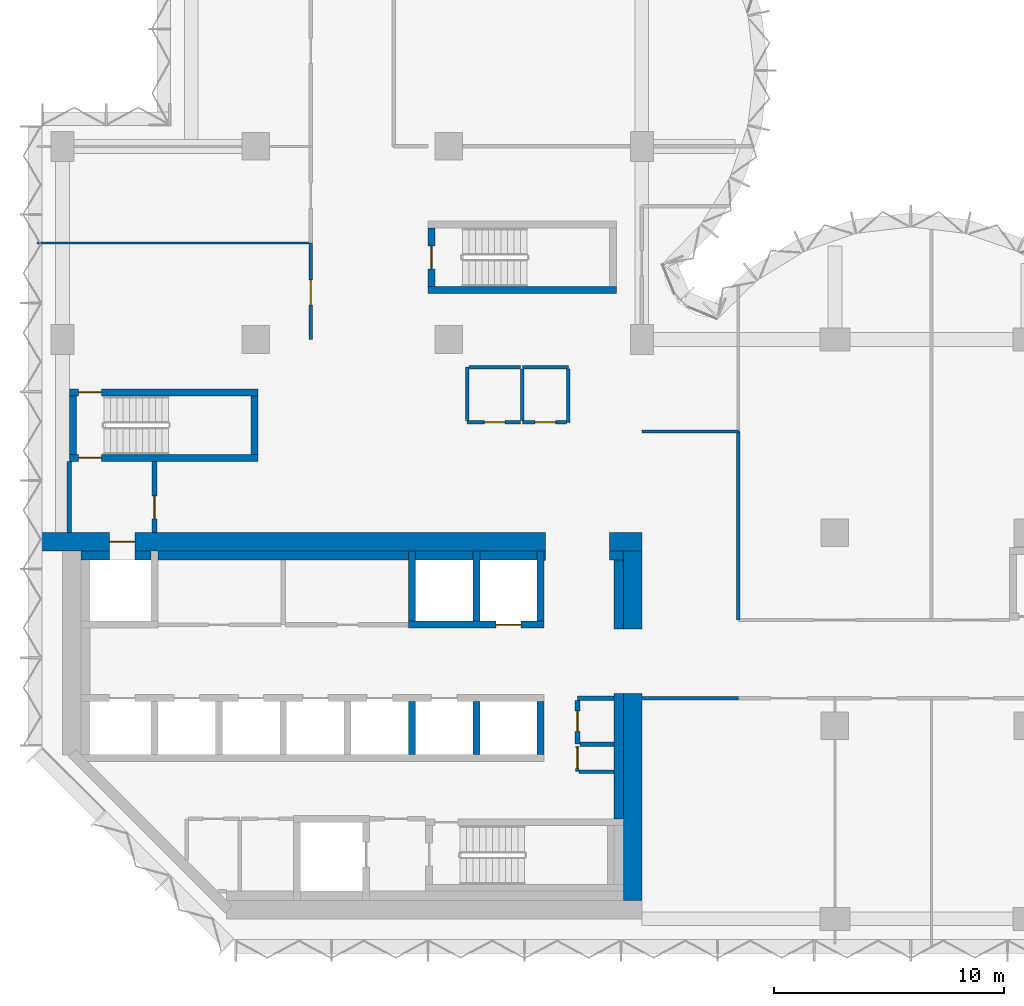
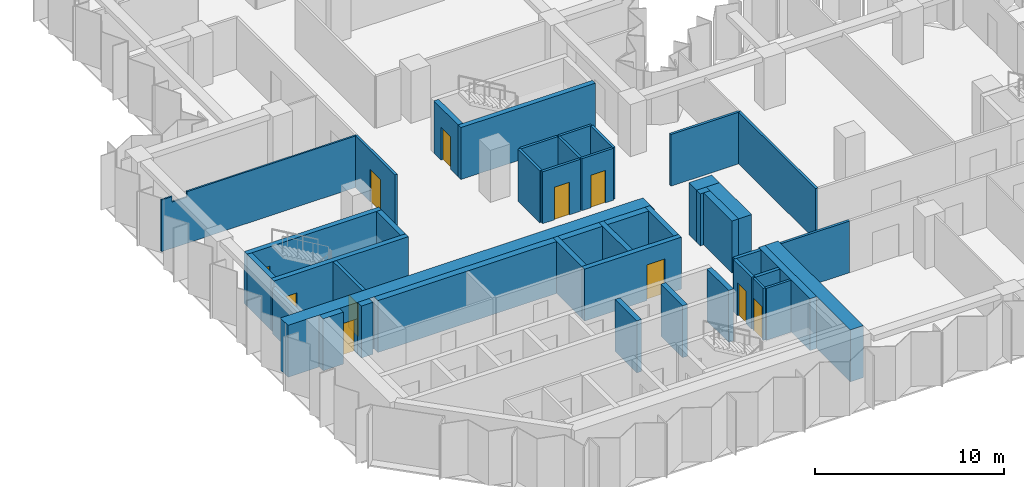
# One storey, part 6 of 11: 45 walls, 11 doors, 11 openings.
"""IFC4 building model written with IfcOpenShell, lengths in metres."""

from ifc_helpers import new_model, si_unit, direction, frame, frame_2d, origin, place, context, subcontext, project, spatial, polyline, rectangle, outline, extrude, material, layer, layer_set, type_object, element, fill, save


model = new_model("IFC4")

# Units and contexts
model_context = context("Model", 3, precision=1e-05, world=origin(), true_north=direction((0.0, 1.0)))
body_context = subcontext(model_context, "Body", "Model", "MODEL_VIEW")
ifc_project = project(units=[si_unit("LENGTHUNIT", "METRE"), si_unit("AREAUNIT", "SQUARE_METRE"), si_unit("VOLUMEUNIT", "CUBIC_METRE"), si_unit("PLANEANGLEUNIT", "RADIAN"), si_unit("MASSUNIT", "GRAM", prefix="KILO")], contexts=[model_context])

# Site, building, storey
site_placement = place(None, origin())
site = spatial("IfcSite", under=ifc_project, at=site_placement, CompositionType="ELEMENT")
building_placement = place(site_placement, origin())
building = spatial("IfcBuilding", under=site, at=building_placement, Name="Brevane Broadcast Tower", CompositionType="ELEMENT")
storey_placement = place(building_placement, frame((0.0, 0.0, 149.300048828125)))
storey = spatial("IfcBuildingStorey", under=building, at=storey_placement, Name="L37", CompositionType="ELEMENT", Elevation=149.300048828125)

# Walls
ifc_material_1 = material(Name="Concrete C32/40", Category="concrete")
ifc_layer_1 = layer(ifc_material_1, 0.39990234375)
ifc_layer_set_1 = layer_set([ifc_layer_1], Name="Core chase wall 400 mm")
wall_type_1 = type_object("IfcWallType", Name="Core chase wall 400 mm", PredefinedType="PARTITIONING", material=ifc_layer_set_1)
wall_1_placement = place(storey_placement, frame((24.199951171875, 12.60009765625, 0.0), z_axis=(0.0, 0.0, 1.0), x_axis=(0.0, 1.0, 0.0)))
element("IfcWall", 1, at=wall_1_placement, inside=storey, type_object=wall_type_1, Name="L37 chase wall LE2", PredefinedType="PARTITIONING", context=body_context, shape_type="SweptSolid", body=[
    extrude(rectangle(XDim=3.0, YDim=0.39990234375, at=frame_2d((1.5, 0.0))), origin(), (0.0, 0.0, 1.0), 3.349853515625),
])
wall_2_placement = place(storey_placement, frame((0.800048828125, 15.800048828125, 0.0), z_axis=(0.0, 0.0, 1.0), x_axis=(1.0, 0.0, 0.0)))
element("IfcWall", 2, at=wall_2_placement, inside=storey, type_object=wall_type_1, Name="L37 chase wall LN0", PredefinedType="PARTITIONING", context=body_context, shape_type="SweptSolid", body=[
    extrude(rectangle(XDim=1.25, YDim=0.39990234375, at=frame_2d((0.625, 0.0))), origin(), (0.0, 0.0, 1.0), 3.349853515625),
])
wall_3_placement = place(storey_placement, frame((23.800048828125, 15.800048828125, 0.0), z_axis=(0.0, 0.0, 1.0), x_axis=(1.0, 0.0, 0.0)))
element("IfcWall", 3, at=wall_3_placement, inside=storey, type_object=wall_type_1, Name="L37 chase wall LN2", PredefinedType="PARTITIONING", context=body_context, shape_type="SweptSolid", body=[
    extrude(rectangle(XDim=0.599853515625, YDim=0.39990234375, at=frame_2d((0.2998046875, 0.0))), origin(), (0.0, 0.0, 1.0), 3.349853515625),
])
wall_4_placement = place(storey_placement, frame((3.14990234375, 15.800048828125, 0.0), z_axis=(0.0, 0.0, 1.0), x_axis=(1.0, 0.0, 0.0)))
element("IfcWall", 4, at=wall_4_placement, inside=storey, type_object=wall_type_1, Name="L37 chase wall LN1-1", PredefinedType="PARTITIONING", context=body_context, shape_type="SweptSolid", body=[
    extrude(rectangle(XDim=0.7001953125, YDim=0.39990234375, at=frame_2d((0.35009765625, 0.0))), origin(), (0.0, 0.0, 1.0), 3.349853515625),
])
wall_5_placement = place(storey_placement, frame((4.14990234375, 15.800048828125, 0.0), z_axis=(0.0, 0.0, 1.0), x_axis=(1.0, 0.0, 0.0)))
element("IfcWall", 5, at=wall_5_placement, inside=storey, type_object=wall_type_1, Name="L37 chase wall LN1-2-1", PredefinedType="PARTITIONING", context=body_context, shape_type="SweptSolid", body=[
    extrude(rectangle(XDim=10.900146484375, YDim=0.39990234375, at=frame_2d((5.4501953125, 0.0))), origin(), (0.0, 0.0, 1.0), 3.349853515625),
])
for number, where, z_axis, x_axis, name in (
    (6, (15.35009765625, 15.800048828125, 0.0), (0.0, 0.0, 1.0), (1.0, 0.0, 0.0), "L37 chase wall LN1-2-2-1"),
    (7, (18.14990234375, 15.800048828125, 0.0), (0.0, 0.0, 1.0), (1.0, 0.0, 0.0), "L37 chase wall LN1-2-2-2-1"),
):
    element("IfcWall", number, at=place(storey_placement, frame(where, z_axis=z_axis, x_axis=x_axis)), inside=storey, type_object=wall_type_1, Name=name, PredefinedType="PARTITIONING", context=body_context, shape_type="SweptSolid", body=[
        extrude(rectangle(XDim=2.5, YDim=0.39990234375, at=frame_2d((1.25, 0.0))), origin(), (0.0, 0.0, 1.0), 3.349853515625),
    ])
wall_6_placement = place(storey_placement, frame((20.949951171875, 15.800048828125, 0.0), z_axis=(0.0, 0.0, 1.0), x_axis=(1.0, 0.0, 0.0)))
element("IfcWall", 8, at=wall_6_placement, inside=storey, type_object=wall_type_1, Name="L37 chase wall LN1-2-2-2-2", PredefinedType="PARTITIONING", context=body_context, shape_type="SweptSolid", body=[
    extrude(rectangle(XDim=0.050048828125, YDim=0.39990234375, at=frame_2d((0.02490234375, 0.0))), origin(), (0.0, 0.0, 1.0), 3.349853515625),
])
wall_7_placement = place(storey_placement, frame((24.199951171875, 4.35009765625, 0.0), z_axis=(0.0, 0.0, 1.0), x_axis=(0.0, 1.0, 0.0)))
element("IfcWall", 9, at=wall_7_placement, inside=storey, type_object=wall_type_1, Name="L37 chase wall LE1-2-2", PredefinedType="PARTITIONING", context=body_context, shape_type="SweptSolid", body=[
    extrude(rectangle(XDim=5.449951171875, YDim=0.39990234375, at=frame_2d((2.72509765625, 0.0))), origin(), (0.0, 0.0, 1.0), 3.349853515625),
])
ifc_material_2 = material(Name="Gypsum board on steel studs", Category="steel")
ifc_layer_2 = layer(ifc_material_2, 0.14990234375)
ifc_layer_set_2 = layer_set([ifc_layer_2], Name="Core fire partition 150 mm")
wall_type_2 = type_object("IfcWallType", Name="Core fire partition 150 mm", PredefinedType="PARTITIONING", material=ifc_layer_set_2)
wall_8_placement = place(storey_placement, frame((20.0, 24.0, 0.0), z_axis=(0.0, 0.0, 1.0), x_axis=(1.0, 0.0, 0.0)))
element("IfcWall", 10, at=wall_8_placement, inside=storey, type_object=wall_type_2, Name="L37 partition wall P15", PredefinedType="PARTITIONING", context=body_context, shape_type="SweptSolid", body=[
    extrude(rectangle(XDim=2.0, YDim=0.14990234375, at=frame_2d((1.0, 0.0))), origin(), (0.0, 0.0, 1.0), 3.349853515625),
])
wall_9_placement = place(storey_placement, frame((22.0, 23.925048828125, 0.0), z_axis=(0.0, 0.0, 1.0), x_axis=(0.0, -1.0, 0.0)))
element("IfcWall", 11, at=wall_9_placement, inside=storey, type_object=wall_type_2, Name="L37 partition wall P16", PredefinedType="PARTITIONING", context=body_context, shape_type="SweptSolid", body=[
    extrude(rectangle(XDim=2.324951171875, YDim=0.14990234375, at=frame_2d((1.16259765625, 0.0))), origin(), (0.0, 0.0, 1.0), 3.349853515625),
])

# Wall, opening, door
wall_10_placement = place(storey_placement, frame((21.925048828125, 21.60009765625, 0.0), z_axis=(0.0, 0.0, 1.0), x_axis=(-1.0, 0.0, 0.0)))
wall_10 = element("IfcWall", 12, at=wall_10_placement, inside=storey, type_object=wall_type_2, Name="L37 partition wall P17", PredefinedType="PARTITIONING", context=body_context, shape_type="SweptSolid", body=[
    extrude(rectangle(XDim=1.925048828125, YDim=0.14990234375, at=frame_2d((0.96240234375, 0.0))), origin(), (0.0, 0.0, 1.0), 3.349853515625),
])
opening_1_placement = place(wall_10_placement, frame((0.47509765625, 0.0, 0.0)))
opening_1 = element("IfcOpeningElement", 13, at=opening_1_placement, cuts=wall_10, Name="Opening L37-K24", PredefinedType="OPENING", context=body_context, shape_type="SweptSolid", body=[
    extrude(rectangle(XDim=0.89990234375, YDim=2.10009765625, at=frame_2d((0.449951171875, 1.050048828125))), frame((0.0, 0.0849609375, 0.0), z_axis=(0.0, -1.0, 0.0), x_axis=(1.0, 0.0, 0.0)), (0.0, 0.0, 1.0), 0.169921875),
])
ifc_material_3 = material(Name="Timber", Category="wood")
door_type_1 = type_object("IfcDoorType", Name="Toilet door 900 x 2100", OperationType="SINGLE_SWING_LEFT", PredefinedType="DOOR", material=ifc_material_3)
door_1_placement = place(opening_1_placement, origin())
door_1 = element("IfcDoor", 14, at=door_1_placement, inside=storey, type_object=door_type_1, Name="Door L37-K24", OperationType="SINGLE_SWING_RIGHT", OverallHeight=2.10009765625, OverallWidth=0.89990234375, PredefinedType="DOOR", context=body_context, shape_type="SweptSolid", body=[
    extrude(rectangle(XDim=0.89990234375, YDim=2.10009765625, at=frame_2d((0.449951171875, 1.050048828125))), frame((0.0, 0.02490234375, 0.0), z_axis=(0.0, -1.0, 0.0), x_axis=(1.0, 0.0, 0.0)), (0.0, 0.0, 1.0), 0.050048828125),
])
fill(opening_1, door_1)

# Wall
wall_11_placement = place(storey_placement, frame((20.0, 21.675048828125, 0.0), z_axis=(0.0, 0.0, 1.0), x_axis=(0.0, 1.0, 0.0)))
element("IfcWall", 15, at=wall_11_placement, inside=storey, type_object=wall_type_2, Name="L37 partition wall P18", PredefinedType="PARTITIONING", context=body_context, shape_type="SweptSolid", body=[
    extrude(rectangle(XDim=2.25, YDim=0.14990234375, at=frame_2d((1.125, 0.0))), origin(), (0.0, 0.0, 1.0), 3.349853515625),
])

# Wall, opening, door
wall_12_placement = place(storey_placement, frame((19.925048828125, 21.60009765625, 0.0), z_axis=(0.0, 0.0, 1.0), x_axis=(-1.0, 0.0, 0.0)))
wall_12 = element("IfcWall", 16, at=wall_12_placement, inside=storey, type_object=wall_type_2, Name="L37 partition wall P19", PredefinedType="PARTITIONING", context=body_context, shape_type="SweptSolid", body=[
    extrude(rectangle(XDim=2.324951171875, YDim=0.14990234375, at=frame_2d((1.16259765625, 0.0))), origin(), (0.0, 0.0, 1.0), 3.349853515625),
])
opening_2_placement = place(wall_12_placement, frame((0.675048828125, 0.0, 0.0)))
opening_2 = element("IfcOpeningElement", 17, at=opening_2_placement, cuts=wall_12, Name="Opening L37-K25", PredefinedType="OPENING", context=body_context, shape_type="SweptSolid", body=[
    extrude(rectangle(XDim=0.89990234375, YDim=2.10009765625, at=frame_2d((0.449951171875, 1.050048828125))), frame((0.0, 0.0849609375, 0.0), z_axis=(0.0, -1.0, 0.0), x_axis=(1.0, 0.0, 0.0)), (0.0, 0.0, 1.0), 0.169921875),
])
ifc_material_4 = material(Name="Steel", Category="steel")
door_type_2 = type_object("IfcDoorType", Name="Service room door 900 x 2100", OperationType="SINGLE_SWING_LEFT", PredefinedType="DOOR", material=ifc_material_4)
door_2_placement = place(opening_2_placement, origin())
door_2 = element("IfcDoor", 18, at=door_2_placement, inside=storey, type_object=door_type_2, Name="Door L37-K25", OperationType="SINGLE_SWING_LEFT", OverallHeight=2.10009765625, OverallWidth=0.89990234375, PredefinedType="DOOR", context=body_context, shape_type="SweptSolid", body=[
    extrude(rectangle(XDim=0.89990234375, YDim=2.10009765625, at=frame_2d((0.449951171875, 1.050048828125))), frame((0.0, 0.02490234375, 0.0), z_axis=(0.0, -1.0, 0.0), x_axis=(1.0, 0.0, 0.0)), (0.0, 0.0, 1.0), 0.050048828125),
])
fill(opening_2, door_2)

# Walls
wall_13_placement = place(storey_placement, frame((17.60009765625, 21.675048828125, 0.0), z_axis=(0.0, 0.0, 1.0), x_axis=(0.0, 1.0, 0.0)))
element("IfcWall", 19, at=wall_13_placement, inside=storey, type_object=wall_type_2, Name="L37 partition wall P20", PredefinedType="PARTITIONING", context=body_context, shape_type="SweptSolid", body=[
    extrude(rectangle(XDim=2.324951171875, YDim=0.14990234375, at=frame_2d((1.16259765625, 0.0))), origin(), (0.0, 0.0, 1.0), 3.349853515625),
])
wall_14_placement = place(storey_placement, frame((17.675048828125, 24.0, 0.0), z_axis=(0.0, 0.0, 1.0), x_axis=(1.0, 0.0, 0.0)))
element("IfcWall", 20, at=wall_14_placement, inside=storey, type_object=wall_type_2, Name="L37 partition wall P21", PredefinedType="PARTITIONING", context=body_context, shape_type="SweptSolid", body=[
    extrude(rectangle(XDim=2.25, YDim=0.14990234375, at=frame_2d((1.125, 0.0))), origin(), (0.0, 0.0, 1.0), 3.349853515625),
])

# Wall, opening, door
wall_15_placement = place(storey_placement, frame((22.39990234375, 7.5, 0.0), z_axis=(0.0, 0.0, 1.0), x_axis=(0.0, -1.0, 0.0)))
wall_15 = element("IfcWall", 21, at=wall_15_placement, inside=storey, type_object=wall_type_2, Name="L37 partition wall P22", PredefinedType="PARTITIONING", context=body_context, shape_type="SweptSolid", body=[
    extrude(rectangle(XDim=1.10009765625, YDim=0.14990234375, at=frame_2d((0.550048828125, 0.0))), origin(), (0.0, 0.0, 1.0), 3.349853515625),
])
opening_3_placement = place(wall_15_placement, frame((0.050048828125, 0.0, 0.0)))
opening_3 = element("IfcOpeningElement", 22, at=opening_3_placement, cuts=wall_15, Name="Opening L37-K19", PredefinedType="OPENING", context=body_context, shape_type="SweptSolid", body=[
    extrude(rectangle(XDim=0.89990234375, YDim=2.10009765625, at=frame_2d((0.449951171875, 1.050048828125))), frame((0.0, 0.0849609375, 0.0), z_axis=(0.0, -1.0, 0.0), x_axis=(1.0, 0.0, 0.0)), (0.0, 0.0, 1.0), 0.169921875),
])
door_3_placement = place(opening_3_placement, origin())
door_3 = element("IfcDoor", 23, at=door_3_placement, inside=storey, type_object=door_type_2, Name="Door L37-K19", OperationType="SINGLE_SWING_LEFT", OverallHeight=2.10009765625, OverallWidth=0.89990234375, PredefinedType="DOOR", context=body_context, shape_type="SweptSolid", body=[
    extrude(rectangle(XDim=0.89990234375, YDim=2.10009765625, at=frame_2d((0.449951171875, 1.050048828125))), frame((0.0, 0.02490234375, 0.0), z_axis=(0.0, -1.0, 0.0), x_axis=(1.0, 0.0, 0.0)), (0.0, 0.0, 1.0), 0.050048828125),
])
fill(opening_3, door_3)

# Walls
wall_16_placement = place(storey_placement, frame((22.47509765625, 6.39990234375, 0.0), z_axis=(0.0, 0.0, 1.0), x_axis=(1.0, 0.0, 0.0)))
element("IfcWall", 24, at=wall_16_placement, inside=storey, type_object=wall_type_2, Name="L37 partition wall P23", PredefinedType="PARTITIONING", context=body_context, shape_type="SweptSolid", body=[
    extrude(rectangle(XDim=1.512939453125, YDim=0.14990234375, at=frame_2d((0.75634765625, 0.0))), origin(), (0.0, 0.0, 1.0), 3.349853515625),
])
ifc_layer_3 = layer(ifc_material_2, 0.199951171875)
ifc_layer_set_3 = layer_set([ifc_layer_3], Name="Core fire partition 200 mm")
wall_type_3 = type_object("IfcWallType", Name="Core fire partition 200 mm", PredefinedType="PARTITIONING", material=ifc_layer_set_3)
wall_17_placement = place(storey_placement, frame((0.300048828125, 16.81201171875, 0.0), z_axis=(0.0, 0.0, 1.0), x_axis=(0.0, 1.0, 0.0)))
element("IfcWall", 25, at=wall_17_placement, inside=storey, type_object=wall_type_3, Name="L37 partition wall P01", PredefinedType="PARTITIONING", context=body_context, shape_type="SweptSolid", body=[
    extrude(rectangle(XDim=3.075927734375, YDim=0.199951171875, at=frame_2d((1.5380859375, 0.0))), origin(), (0.0, 0.0, 1.0), 2.97998046875),
])

# Wall, opening, door
wall_18_placement = place(storey_placement, frame((4.0, 19.887939453125, 0.0), z_axis=(0.0, 0.0, 1.0), x_axis=(0.0, -1.0, 0.0)))
wall_18 = element("IfcWall", 26, at=wall_18_placement, inside=storey, type_object=wall_type_3, Name="L37 partition wall P02", PredefinedType="PARTITIONING", context=body_context, shape_type="SweptSolid", body=[
    extrude(rectangle(XDim=3.075927734375, YDim=0.199951171875, at=frame_2d((1.5380859375, 0.0))), origin(), (0.0, 0.0, 1.0), 3.349853515625),
])
opening_4_placement = place(wall_18_placement, frame((1.488037109375, 0.0, 0.0)))
opening_4 = element("IfcOpeningElement", 27, at=opening_4_placement, cuts=wall_18, Name="Opening L37-K23", PredefinedType="OPENING", context=body_context, shape_type="SweptSolid", body=[
    extrude(rectangle(XDim=1.0, YDim=2.10009765625, at=frame_2d((0.5, 1.050048828125))), frame((0.0, 0.10986328125, 0.0), z_axis=(0.0, -1.0, 0.0), x_axis=(1.0, 0.0, 0.0)), (0.0, 0.0, 1.0), 0.219970703125),
])
door_type_3 = type_object("IfcDoorType", Name="Stair door 1000 x 2100", OperationType="SINGLE_SWING_LEFT", PredefinedType="DOOR", material=ifc_material_4)
door_4_placement = place(opening_4_placement, origin())
door_4 = element("IfcDoor", 28, at=door_4_placement, inside=storey, type_object=door_type_3, Name="Door L37-K23", OperationType="SINGLE_SWING_LEFT", OverallHeight=2.10009765625, OverallWidth=1.0, PredefinedType="DOOR", context=body_context, shape_type="SweptSolid", body=[
    extrude(rectangle(XDim=1.0, YDim=2.10009765625, at=frame_2d((0.5, 1.050048828125))), frame((0.0, 0.02490234375, 0.0), z_axis=(0.0, -1.0, 0.0), x_axis=(1.0, 0.0, 0.0)), (0.0, 0.0, 1.0), 0.050048828125),
])
fill(opening_4, door_4)

# Wall
wall_19_placement = place(storey_placement, frame((23.988037109375, 9.60009765625, 0.0), z_axis=(0.0, 0.0, 1.0), x_axis=(-1.0, 0.0, 0.0)))
element("IfcWall", 29, at=wall_19_placement, inside=storey, type_object=wall_type_3, Name="L37 partition wall P06", PredefinedType="PARTITIONING", context=body_context, shape_type="SweptSolid", body=[
    extrude(rectangle(XDim=1.588134765625, YDim=0.199951171875, at=frame_2d((0.7939453125, 0.0))), origin(), (0.0, 0.0, 1.0), 3.349853515625),
])

# Wall, opening, door
wall_20_placement = place(storey_placement, frame((22.39990234375, 9.5, 0.0), z_axis=(0.0, 0.0, 1.0), x_axis=(0.0, -1.0, 0.0)))
wall_20 = element("IfcWall", 30, at=wall_20_placement, inside=storey, type_object=wall_type_3, Name="L37 partition wall P07", PredefinedType="PARTITIONING", context=body_context, shape_type="SweptSolid", body=[
    extrude(rectangle(XDim=1.89990234375, YDim=0.199951171875, at=frame_2d((0.949951171875, 0.0))), origin(), (0.0, 0.0, 1.0), 3.349853515625),
])
opening_5_placement = place(wall_20_placement, frame((0.449951171875, 0.0, 0.0)))
opening_5 = element("IfcOpeningElement", 31, at=opening_5_placement, cuts=wall_20, Name="Opening L37-K20", PredefinedType="OPENING", context=body_context, shape_type="SweptSolid", body=[
    extrude(rectangle(XDim=0.89990234375, YDim=2.10009765625, at=frame_2d((0.449951171875, 1.050048828125))), frame((0.0, 0.10986328125, 0.0), z_axis=(0.0, -1.0, 0.0), x_axis=(1.0, 0.0, 0.0)), (0.0, 0.0, 1.0), 0.219970703125),
])
door_5_placement = place(opening_5_placement, origin())
door_5 = element("IfcDoor", 32, at=door_5_placement, inside=storey, type_object=door_type_2, Name="Door L37-K20", OperationType="SINGLE_SWING_RIGHT", OverallHeight=2.10009765625, OverallWidth=0.89990234375, PredefinedType="DOOR", context=body_context, shape_type="SweptSolid", body=[
    extrude(rectangle(XDim=0.89990234375, YDim=2.10009765625, at=frame_2d((0.449951171875, 1.050048828125))), frame((0.0, 0.02490234375, 0.0), z_axis=(0.0, -1.0, 0.0), x_axis=(1.0, 0.0, 0.0)), (0.0, 0.0, 1.0), 0.050048828125),
])
fill(opening_5, door_5)

# Walls
wall_21_placement = place(storey_placement, frame((22.5, 7.60009765625, 0.0), z_axis=(0.0, 0.0, 1.0), x_axis=(1.0, 0.0, 0.0)))
element("IfcWall", 33, at=wall_21_placement, inside=storey, type_object=wall_type_3, Name="L37 partition wall P08", PredefinedType="PARTITIONING", context=body_context, shape_type="SweptSolid", body=[
    extrude(rectangle(XDim=1.488037109375, YDim=0.199951171875, at=frame_2d((0.744140625, 0.0))), origin(), (0.0, 0.0, 1.0), 3.349853515625),
])
ifc_material_5 = material(Name="Concrete C60/75", Category="concrete")
ifc_layer_4 = layer(ifc_material_5, 0.300048828125)
ifc_layer_set_4 = layer_set([ifc_layer_4], Name="Core wall 300 mm C60/75")
wall_type_4 = type_object("IfcWallType", Name="Core wall 300 mm C60/75", PredefinedType="SHEAR", material=ifc_layer_set_4)
for number, where, z_axis, x_axis, name in (
    (34, (15.199951171875, 7.14990234375, 0.0), (0.0, 0.0, 1.0), (0.0, 1.0, 0.0), "L37 shaft wall SH-S-P152"),
    (35, (18.0, 7.14990234375, 0.0), (0.0, 0.0, 1.0), (0.0, 1.0, 0.0), "L37 shaft wall SH-S-P180"),
    (36, (20.800048828125, 7.14990234375, 0.0), (0.0, 0.0, 1.0), (0.0, 1.0, 0.0), "L37 shaft wall SH-S-P208"),
):
    element("IfcWall", number, at=place(storey_placement, frame(where, z_axis=z_axis, x_axis=x_axis)), inside=storey, type_object=wall_type_4, Name=name, PredefinedType="SHEAR", context=body_context, shape_type="SweptSolid", body=[
        extrude(rectangle(XDim=2.300048828125, YDim=0.300048828125, at=frame_2d((1.14990234375, 0.0))), origin(), (0.0, 0.0, 1.0), 3.349853515625),
    ])

# Wall, opening, door
wall_22_placement = place(storey_placement, frame((15.050048828125, 12.800048828125, 0.0), z_axis=(0.0, 0.0, 1.0), x_axis=(1.0, 0.0, 0.0)))
wall_22 = element("IfcWall", 37, at=wall_22_placement, inside=storey, type_object=wall_type_4, Name="L37 shaft wall SH-N152-front", PredefinedType="SHEAR", context=body_context, shape_type="SweptSolid", body=[
    extrude(rectangle(XDim=5.89990234375, YDim=0.300048828125, at=frame_2d((2.949951171875, 0.0))), origin(), (0.0, 0.0, 1.0), 3.349853515625),
])
opening_6_placement = place(wall_22_placement, frame((3.800048828125, 0.0, 0.0)))
opening_6 = element("IfcOpeningElement", 38, at=opening_6_placement, cuts=wall_22, Name="Opening LD", PredefinedType="OPENING", context=body_context, shape_type="SweptSolid", body=[
    extrude(rectangle(XDim=1.10009765625, YDim=2.300048828125, at=frame_2d((0.550048828125, 1.14990234375))), frame((0.0, 0.159912109375, 0.0), z_axis=(0.0, -1.0, 0.0), x_axis=(1.0, 0.0, 0.0)), (0.0, 0.0, 1.0), 0.320068359375),
])
ifc_material_6 = material(Name="Stainless steel", Category="steel")
door_type_4 = type_object("IfcDoorType", Name="Lift landing door", OperationType="SLIDING_TO_LEFT", PredefinedType="DOOR", material=ifc_material_6)
door_6_placement = place(opening_6_placement, origin())
door_6 = element("IfcDoor", 39, at=door_6_placement, inside=storey, type_object=door_type_4, Name="Landing door SL1 L37", OperationType="SLIDING_TO_LEFT", OverallHeight=2.300048828125, OverallWidth=1.10009765625, PredefinedType="DOOR", context=body_context, shape_type="SweptSolid", body=[
    extrude(rectangle(XDim=1.10009765625, YDim=2.300048828125, at=frame_2d((0.550048828125, 1.14990234375))), frame((0.0, 0.02490234375, 0.0), z_axis=(0.0, -1.0, 0.0), x_axis=(1.0, 0.0, 0.0)), (0.0, 0.0, 1.0), 0.050048828125),
])
fill(opening_6, door_6)

# Walls
for number, where, z_axis, x_axis, name in (
    (40, (15.199951171875, 12.949951171875, 0.0), (0.0, 0.0, 1.0), (0.0, 1.0, 0.0), "L37 shaft wall SH-N-P152"),
    (41, (18.0, 12.949951171875, 0.0), (0.0, 0.0, 1.0), (0.0, 1.0, 0.0), "L37 shaft wall SH-N-P180"),
    (42, (20.800048828125, 12.949951171875, 0.0), (0.0, 0.0, 1.0), (0.0, 1.0, 0.0), "L37 shaft wall SH-N-P208"),
):
    element("IfcWall", number, at=place(storey_placement, frame(where, z_axis=z_axis, x_axis=x_axis)), inside=storey, type_object=wall_type_4, Name=name, PredefinedType="SHEAR", context=body_context, shape_type="SweptSolid", body=[
        extrude(rectangle(XDim=3.050048828125, YDim=0.300048828125, at=frame_2d((1.52490234375, 0.0))), origin(), (0.0, 0.0, 1.0), 3.349853515625),
    ])

# Wall, opening, door
wall_23_placement = place(storey_placement, frame((8.5, 20.050048828125, 0.0), z_axis=(0.0, 0.0, 1.0), x_axis=(-1.0, 0.0, 0.0)))
wall_23 = element("IfcWall", 43, at=wall_23_placement, inside=storey, type_object=wall_type_4, Name="L37 stair wall ST-1-S", PredefinedType="SHEAR", context=body_context, shape_type="SweptSolid", body=[
    extrude(rectangle(XDim=8.199951171875, YDim=0.300048828125, at=frame_2d((4.10009765625, 0.0))), origin(), (0.0, 0.0, 1.0), 3.349853515625),
])
opening_7_placement = place(wall_23_placement, frame((6.800048828125, 0.0, 0.0)))
opening_7 = element("IfcOpeningElement", 44, at=opening_7_placement, cuts=wall_23, Name="Opening L37-K10", PredefinedType="OPENING", context=body_context, shape_type="SweptSolid", body=[
    extrude(rectangle(XDim=1.0, YDim=2.10009765625, at=frame_2d((0.5, 1.050048828125))), frame((0.0, 0.159912109375, 0.0), z_axis=(0.0, -1.0, 0.0), x_axis=(1.0, 0.0, 0.0)), (0.0, 0.0, 1.0), 0.320068359375),
])
door_7_placement = place(opening_7_placement, origin())
door_7 = element("IfcDoor", 45, at=door_7_placement, inside=storey, type_object=door_type_3, Name="Door L37-K10", OperationType="SINGLE_SWING_RIGHT", OverallHeight=2.10009765625, OverallWidth=1.0, PredefinedType="DOOR", context=body_context, shape_type="SweptSolid", body=[
    extrude(rectangle(XDim=1.0, YDim=2.10009765625, at=frame_2d((0.5, 1.050048828125))), frame((0.0, 0.02490234375, 0.0), z_axis=(0.0, -1.0, 0.0), x_axis=(1.0, 0.0, 0.0)), (0.0, 0.0, 1.0), 0.050048828125),
])
fill(opening_7, door_7)

wall_24_placement = place(storey_placement, frame((0.300048828125, 22.89990234375, 0.0), z_axis=(0.0, 0.0, 1.0), x_axis=(1.0, 0.0, 0.0)))
wall_24 = element("IfcWall", 46, at=wall_24_placement, inside=storey, type_object=wall_type_4, Name="L37 stair wall ST-1-N", PredefinedType="SHEAR", context=body_context, shape_type="SweptSolid", body=[
    extrude(rectangle(XDim=8.199951171875, YDim=0.300048828125, at=frame_2d((4.10009765625, 0.0))), origin(), (0.0, 0.0, 1.0), 3.349853515625),
])
opening_8_placement = place(wall_24_placement, frame((0.39990234375, 0.0, 0.0)))
opening_8 = element("IfcOpeningElement", 47, at=opening_8_placement, cuts=wall_24, Name="Opening L37-K11", PredefinedType="OPENING", context=body_context, shape_type="SweptSolid", body=[
    extrude(rectangle(XDim=1.0, YDim=2.10009765625, at=frame_2d((0.5, 1.050048828125))), frame((0.0, 0.159912109375, 0.0), z_axis=(0.0, -1.0, 0.0), x_axis=(1.0, 0.0, 0.0)), (0.0, 0.0, 1.0), 0.320068359375),
])
door_8_placement = place(opening_8_placement, origin())
door_8 = element("IfcDoor", 48, at=door_8_placement, inside=storey, type_object=door_type_3, Name="Door L37-K11", OperationType="SINGLE_SWING_LEFT", OverallHeight=2.10009765625, OverallWidth=1.0, PredefinedType="DOOR", context=body_context, shape_type="SweptSolid", body=[
    extrude(rectangle(XDim=1.0, YDim=2.10009765625, at=frame_2d((0.5, 1.050048828125))), frame((0.0, 0.02490234375, 0.0), z_axis=(0.0, -1.0, 0.0), x_axis=(1.0, 0.0, 0.0)), (0.0, 0.0, 1.0), 0.050048828125),
])
fill(opening_8, door_8)

# Walls
for number, where, z_axis, x_axis, name in (
    (49, (0.449951171875, 20.199951171875, 0.0), (0.0, 0.0, 1.0), (0.0, 1.0, 0.0), "L37 stair wall ST-1-W"),
    (50, (8.35009765625, 20.199951171875, 0.0), (0.0, 0.0, 1.0), (0.0, 1.0, 0.0), "L37 stair wall ST-1-E"),
):
    element("IfcWall", number, at=place(storey_placement, frame(where, z_axis=z_axis, x_axis=x_axis)), inside=storey, type_object=wall_type_4, Name=name, PredefinedType="SHEAR", context=body_context, shape_type="SweptSolid", body=[
        extrude(rectangle(XDim=2.550048828125, YDim=0.300048828125, at=frame_2d((1.27490234375, 0.0))), origin(), (0.0, 0.0, 1.0), 3.349853515625),
    ])
wall_25_placement = place(storey_placement, frame((15.89990234375, 27.35009765625, 0.0), z_axis=(0.0, 0.0, 1.0), x_axis=(1.0, 0.0, 0.0)))
element("IfcWall", 51, at=wall_25_placement, inside=storey, type_object=wall_type_4, Name="L37 stair wall ST-3-S", PredefinedType="SHEAR", context=body_context, shape_type="SweptSolid", body=[
    extrude(rectangle(XDim=8.2001953125, YDim=0.300048828125, at=frame_2d((4.10009765625, 0.0))), origin(), (0.0, 0.0, 1.0), 3.349853515625),
])

# Wall, opening, door
wall_26_placement = place(storey_placement, frame((16.050048828125, 27.5, 0.0), z_axis=(0.0, 0.0, 1.0), x_axis=(0.0, 1.0, 0.0)))
wall_26 = element("IfcWall", 52, at=wall_26_placement, inside=storey, type_object=wall_type_4, Name="L37 stair wall ST-3-W", PredefinedType="SHEAR", context=body_context, shape_type="SweptSolid", body=[
    extrude(rectangle(XDim=2.550048828125, YDim=0.300048828125, at=frame_2d((1.27490234375, 0.0))), origin(), (0.0, 0.0, 1.0), 3.349853515625),
])
opening_9_placement = place(wall_26_placement, frame((0.77490234375, 0.0, 0.0)))
opening_9 = element("IfcOpeningElement", 53, at=opening_9_placement, cuts=wall_26, Name="Opening L37-K14", PredefinedType="OPENING", context=body_context, shape_type="SweptSolid", body=[
    extrude(rectangle(XDim=1.0, YDim=2.10009765625, at=frame_2d((0.5, 1.050048828125))), frame((0.0, 0.159912109375, 0.0), z_axis=(0.0, -1.0, 0.0), x_axis=(1.0, 0.0, 0.0)), (0.0, 0.0, 1.0), 0.320068359375),
])
door_9_placement = place(opening_9_placement, origin())
door_9 = element("IfcDoor", 54, at=door_9_placement, inside=storey, type_object=door_type_3, Name="Door L37-K14", OperationType="SINGLE_SWING_RIGHT", OverallHeight=2.10009765625, OverallWidth=1.0, PredefinedType="DOOR", context=body_context, shape_type="SweptSolid", body=[
    extrude(rectangle(XDim=1.0, YDim=2.10009765625, at=frame_2d((0.5, 1.050048828125))), frame((0.0, 0.02490234375, 0.0), z_axis=(0.0, -1.0, 0.0), x_axis=(1.0, 0.0, 0.0)), (0.0, 0.0, 1.0), 0.050048828125),
])
fill(opening_9, door_9)

ifc_layer_5 = layer(ifc_material_5, 0.800048828125)
ifc_layer_set_5 = layer_set([ifc_layer_5], Name="Core wall 800 mm C60/75")
wall_type_5 = type_object("IfcWallType", Name="Core wall 800 mm C60/75", PredefinedType="SHEAR", material=ifc_layer_set_5)
wall_27_placement = place(storey_placement, frame((-1.10009765625, 16.39990234375, 0.0), z_axis=(0.0, 0.0, 1.0), x_axis=(1.0, 0.0, 0.0)))
wall_27 = element("IfcWall", 55, at=wall_27_placement, inside=storey, type_object=wall_type_5, Name="L37 outer wall WN1", PredefinedType="SHEAR", context=body_context, shape_type="SweptSolid", body=[
    extrude(rectangle(XDim=22.10009765625, YDim=0.800048828125, at=frame_2d((11.050048828125, 0.0))), origin(), (0.0, 0.0, 1.0), 3.349853515625),
])
opening_10_placement = place(wall_27_placement, frame((3.14990234375, 0.0, 0.0)))
opening_10 = element("IfcOpeningElement", 56, at=opening_10_placement, cuts=wall_27, Name="Opening LD", PredefinedType="OPENING", context=body_context, shape_type="SweptSolid", body=[
    extrude(rectangle(XDim=1.10009765625, YDim=2.300048828125, at=frame_2d((0.550048828125, 1.14990234375))), frame((0.0, 0.409912109375, 0.0), z_axis=(0.0, -1.0, 0.0), x_axis=(1.0, 0.0, 0.0)), (0.0, 0.0, 1.0), 0.820068359375),
])
door_10_placement = place(opening_10_placement, origin())
door_10 = element("IfcDoor", 57, at=door_10_placement, inside=storey, type_object=door_type_4, Name="Landing door FF1 L37", OperationType="SLIDING_TO_LEFT", OverallHeight=2.300048828125, OverallWidth=1.10009765625, PredefinedType="DOOR", context=body_context, shape_type="SweptSolid", body=[
    extrude(rectangle(XDim=1.10009765625, YDim=2.300048828125, at=frame_2d((0.550048828125, 1.14990234375))), frame((0.0, 0.02490234375, 0.0), z_axis=(0.0, -1.0, 0.0), x_axis=(1.0, 0.0, 0.0)), (0.0, 0.0, 1.0), 0.050048828125),
])
fill(opening_10, door_10)

# Walls
wall_28_placement = place(storey_placement, frame((23.800048828125, 16.39990234375, 0.0), z_axis=(0.0, 0.0, 1.0), x_axis=(1.0, 0.0, 0.0)))
element("IfcWall", 58, at=wall_28_placement, inside=storey, type_object=wall_type_5, Name="L37 outer wall WN2", PredefinedType="SHEAR", context=body_context, shape_type="SweptSolid", body=[
    extrude(rectangle(XDim=1.39990234375, YDim=0.800048828125, at=frame_2d((0.699951171875, 0.0))), origin(), (0.0, 0.0, 1.0), 3.349853515625),
])
wall_29_placement = place(storey_placement, frame((24.800048828125, 0.800048828125, 0.0), z_axis=(0.0, 0.0, 1.0), x_axis=(0.0, 1.0, 0.0)))
element("IfcWall", 59, at=wall_29_placement, inside=storey, type_object=wall_type_5, Name="L37 outer wall WE1", PredefinedType="SHEAR", context=body_context, shape_type="SweptSolid", body=[
    extrude(rectangle(XDim=9.0, YDim=0.800048828125, at=frame_2d((4.5, 0.0))), origin(), (0.0, 0.0, 1.0), 3.349853515625),
])
wall_30_placement = place(storey_placement, frame((24.800048828125, 12.60009765625, 0.0), z_axis=(0.0, 0.0, 1.0), x_axis=(0.0, 1.0, 0.0)))
element("IfcWall", 60, at=wall_30_placement, inside=storey, type_object=wall_type_5, Name="L37 outer wall WE2", PredefinedType="SHEAR", context=body_context, shape_type="SweptSolid", body=[
    extrude(rectangle(XDim=3.39990234375, YDim=0.800048828125, at=frame_2d((1.699951171875, 0.0))), origin(), (0.0, 0.0, 1.0), 3.349853515625),
])
ifc_material_7 = material(Name="Gypsum board partition")
ifc_layer_6 = layer(ifc_material_7, 0.10009765625)
ifc_layer_set_6 = layer_set([ifc_layer_6], Name="PARTITION 100 STUD")
wall_type_6 = type_object("IfcWallType", Name="PARTITION 100 STUD", PredefinedType="PARTITIONING", material=ifc_layer_set_6)
wall_31_placement = place(storey_placement, frame((-1.10009765625, 29.39990234375, 0.0), z_axis=(0.0, 0.0, 1.0), x_axis=(1.0, 0.0, 0.0)))
element("IfcWall", 61, at=wall_31_placement, inside=storey, type_object=wall_type_6, Name="Partition G11-055", PredefinedType="PARTITIONING", context=body_context, shape_type="SweptSolid", body=[
    extrude(outline(polyline([(0.0, 0.0), (11.900146484375, 0.0), (11.89990234375, 3.329833984375), (1.550048828125, 3.329833984375), (1.548095703125, 2.97998046875), (0.652099609375, 2.97998046875), (0.64990234375, 3.329833984375), (0.0, 3.329833984375), (0.0, 0.0)])), frame((0.0, 0.050048828125, 0.0), z_axis=(0.0, -1.0, 0.0), x_axis=(1.0, 0.0, 0.0)), (0.0, 0.0, 1.0), 0.10009765625),
])
ifc_layer_7 = layer(ifc_material_7, 0.14990234375)
ifc_layer_set_7 = layer_set([ifc_layer_7], Name="PARTITION 150 EI 60")
wall_type_7 = type_object("IfcWallType", Name="PARTITION 150 EI 60", PredefinedType="PARTITIONING", material=ifc_layer_set_7)
for number, where, z_axis, x_axis, name in (
    (62, (25.199951171875, 21.199951171875, 0.0), (0.0, 0.0, 1.0), (1.0, 0.0, 0.0), "Partition G11-001"),
    (63, (29.39990234375, 9.60009765625, 0.0), (0.0, 0.0, 1.0), (-1.0, 0.0, 0.0), "Partition G11-002"),
):
    element("IfcWall", number, at=place(storey_placement, frame(where, z_axis=z_axis, x_axis=x_axis)), inside=storey, type_object=wall_type_7, Name=name, PredefinedType="PARTITIONING", context=body_context, shape_type="SweptSolid", body=[
        extrude(rectangle(XDim=4.199951171875, YDim=0.14990234375, at=frame_2d((2.10009765625, 0.0))), origin(), (0.0, 0.0, 1.0), 3.329833984375),
    ])
wall_32_placement = place(storey_placement, frame((29.39990234375, 21.199951171875, 0.0), z_axis=(0.0, 0.0, 1.0), x_axis=(0.0, -1.0, 0.0)))
element("IfcWall", 64, at=wall_32_placement, inside=storey, type_object=wall_type_7, Name="Partition G11-003", PredefinedType="PARTITIONING", context=body_context, shape_type="SweptSolid", body=[
    extrude(rectangle(XDim=8.199951171875, YDim=0.14990234375, at=frame_2d((4.10009765625, 0.0))), origin(), (0.0, 0.0, 1.0), 3.329833984375),
])

# Wall, opening, door
wall_33_placement = place(storey_placement, frame((10.800048828125, 25.199951171875, 0.0), z_axis=(0.0, 0.0, 1.0), x_axis=(0.0, 1.0, 0.0)))
wall_33 = element("IfcWall", 65, at=wall_33_placement, inside=storey, type_object=wall_type_7, Name="Partition G11-038", PredefinedType="PARTITIONING", context=body_context, shape_type="SweptSolid", body=[
    extrude(rectangle(XDim=4.199951171875, YDim=0.14990234375, at=frame_2d((2.10009765625, 0.0))), origin(), (0.0, 0.0, 1.0), 3.329833984375),
])
opening_11_placement = place(wall_33_placement, frame((1.5, 0.0, 0.0)))
opening_11 = element("IfcOpeningElement", 66, at=opening_11_placement, cuts=wall_33, Name="Opening D18-015", PredefinedType="OPENING", context=body_context, shape_type="SweptSolid", body=[
    extrude(rectangle(XDim=1.10009765625, YDim=2.10009765625, at=frame_2d((0.550048828125, 1.050048828125))), frame((0.0, 0.0849609375, 0.0), z_axis=(0.0, -1.0, 0.0), x_axis=(1.0, 0.0, 0.0)), (0.0, 0.0, 1.0), 0.169921875),
])
ifc_material_8 = material(Name="Fire-rated timber door leaf", Category="wood")
door_type_5 = type_object("IfcDoorType", Name="DOOR SINGLE 1100 FD30S", OperationType="SINGLE_SWING_LEFT", PredefinedType="DOOR", material=ifc_material_8)
door_11_placement = place(opening_11_placement, origin())
door_11 = element("IfcDoor", 67, at=door_11_placement, inside=storey, type_object=door_type_5, Name="Door D18-015", OperationType="SINGLE_SWING_LEFT", OverallHeight=2.10009765625, OverallWidth=1.10009765625, PredefinedType="DOOR", context=body_context, shape_type="SweptSolid", body=[
    extrude(rectangle(XDim=1.10009765625, YDim=2.10009765625, at=frame_2d((0.550048828125, 1.050048828125))), frame((0.0, 0.02490234375, 0.0), z_axis=(0.0, -1.0, 0.0), x_axis=(1.0, 0.0, 0.0)), (0.0, 0.0, 1.0), 0.050048828125),
])
fill(opening_11, door_11)

save(model, "model.ifc")
